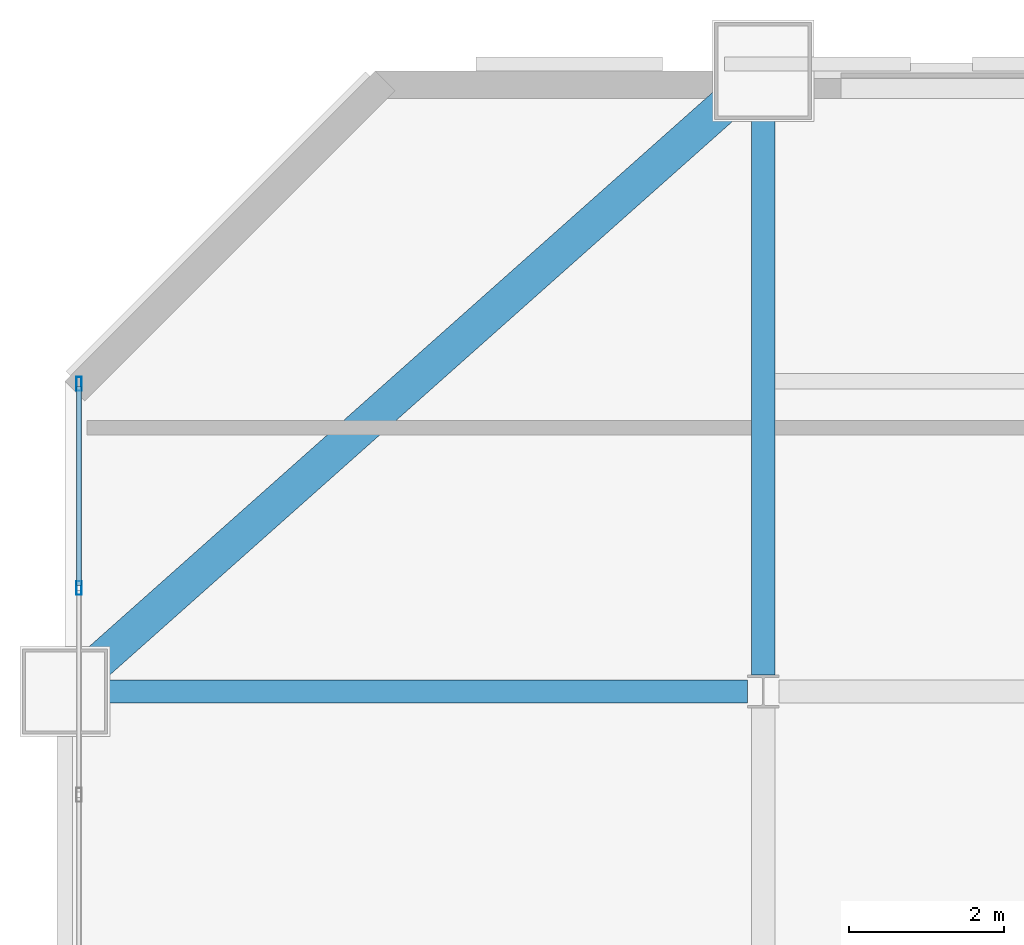
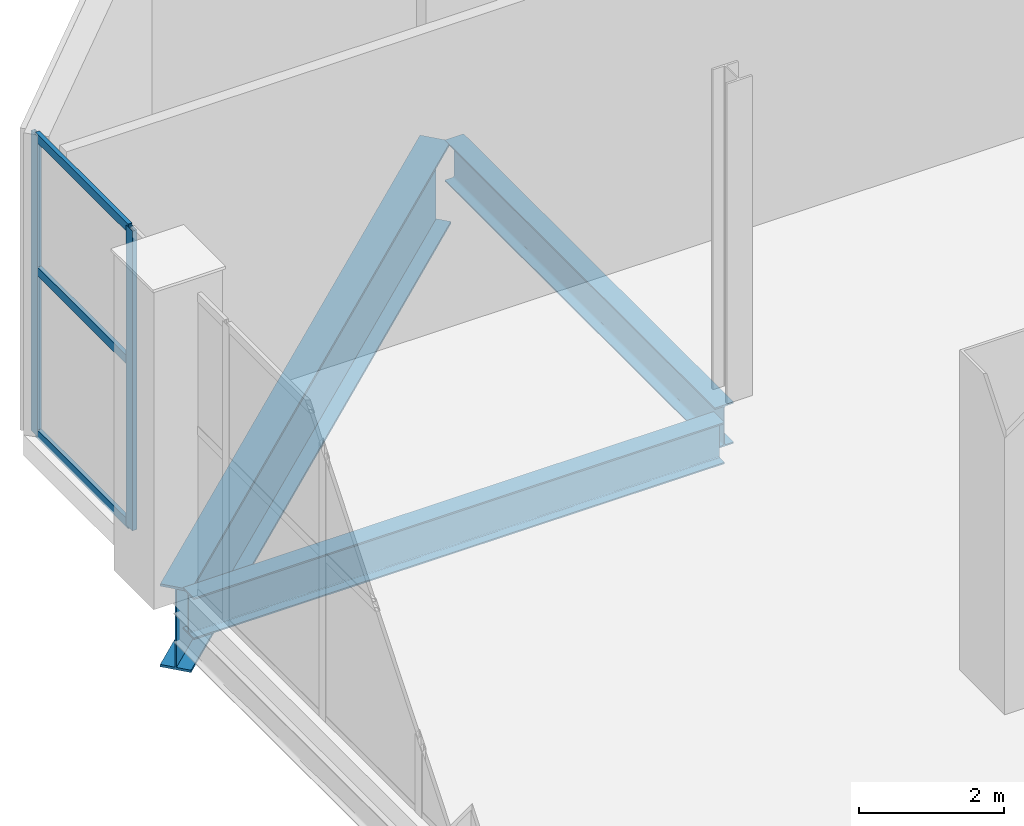
# One storey, part 17 of 26: 5 members, 3 beams, 1 element without a shape of its own.
"""IFC4 building model written with IfcOpenShell, lengths in metres."""

from ifc_helpers import new_model, si_unit, direction, frame, origin, origin_2d, place, context, subcontext, project, spatial, hollow_rectangle, i_section, extrude, material, layer, layer_set, material_profile, profile_set, type_object, element, aggregate, save


model = new_model("IFC4")

# Units and contexts
model_context = context("Model", 3, precision=1e-05, world=origin(), true_north=direction((0.0, 1.0)))
body_context = subcontext(model_context, "Body", "Model", "MODEL_VIEW")
ifc_project = project(units=[si_unit("LENGTHUNIT", "METRE"), si_unit("AREAUNIT", "SQUARE_METRE"), si_unit("VOLUMEUNIT", "CUBIC_METRE"), si_unit("PLANEANGLEUNIT", "RADIAN"), si_unit("MASSUNIT", "GRAM", prefix="KILO")], contexts=[model_context])

# Site, building, storey
site_placement = place(None, origin())
site = spatial("IfcSite", under=ifc_project, at=site_placement, CompositionType="ELEMENT")
building_placement = place(site_placement, origin())
building = spatial("IfcBuilding", under=site, at=building_placement, Name="Qianrong Seaharbour Tower", CompositionType="ELEMENT")
storey_placement = place(building_placement, frame((0.0, 0.0, 108.199951171875)))
storey = spatial("IfcBuildingStorey", under=building, at=storey_placement, Name="L26", CompositionType="ELEMENT", Elevation=108.199951171875)

# Beams
ifc_material_1 = material(Name="Structural steel SN490B", Category="steel")
ifc_material_profile_1 = material_profile(ifc_material_1, i_section(OverallWidth=0.300048828125, OverallDepth=0.699951171875, WebThickness=0.012939453125, FlangeThickness=0.02392578125, FilletRadius=0.02587890625, at=origin_2d()), Name="H700x300x13x24")
ifc_profile_set_1 = profile_set([ifc_material_profile_1], Name="Structural steel SN490B")
beam_type_1 = type_object("IfcBeamType", Name="BM-G-700", PredefinedType="BEAM", material=ifc_profile_set_1)
beam_1_placement = place(storey_placement, frame((0.320068359375, 44.0, -0.699951171875), z_axis=(1.0, 0.0, 0.0), x_axis=(0.0, 1.0, 0.0)))
element("IfcBeam", 1, at=beam_1_placement, inside=storey, type_object=beam_type_1, Name="L26 Primary Girder GG G1-G2", PredefinedType="BEAM", context=body_context, shape_type="SweptSolid", body=[
    extrude(i_section(OverallWidth=0.300048828125, OverallDepth=0.699951171875, WebThickness=0.012939453125, FlangeThickness=0.02392578125, FilletRadius=0.02587890625, at=origin_2d()), origin(), (0.0, 0.0, 1.0), 8.476318359375),
])
beam_2_placement = place(storey_placement, frame((9.0, 44.214111328125, -0.699951171875), z_axis=(0.0, 1.0, 0.0), x_axis=(-1.0, 0.0, 0.0)))
element("IfcBeam", 2, at=beam_2_placement, inside=storey, type_object=beam_type_1, Name="L26 Primary Girder G2 GG-GH", PredefinedType="BEAM", context=body_context, shape_type="SweptSolid", body=[
    extrude(i_section(OverallWidth=0.300048828125, OverallDepth=0.699951171875, WebThickness=0.012939453125, FlangeThickness=0.02392578125, FilletRadius=0.02587890625, at=origin_2d()), origin(), (0.0, 0.0, 1.0), 7.4658203125),
])
ifc_material_profile_2 = material_profile(ifc_material_1, i_section(OverallWidth=0.449951171875, OverallDepth=1.39990234375, WebThickness=0.02197265625, FlangeThickness=0.0400390625, at=origin_2d()), Name="BH1400x450x22x40")
ifc_profile_set_2 = profile_set([ifc_material_profile_2], Name="Structural steel SN490B")
beam_type_2 = type_object("IfcBeamType", Name="BM-TG-1400", PredefinedType="BEAM", material=ifc_profile_set_2)
beam_3_placement = place(storey_placement, frame((8.7607421875, 51.787353515625, -1.050048828125), z_axis=(-0.747406955841, -0.664366497018, 0.0), x_axis=(0.664366497018, -0.747406955841, 0.0)))
element("IfcBeam", 3, at=beam_3_placement, inside=storey, type_object=beam_type_2, Name="L26 Chamfer Corner Spandrel Girder G1/GH", PredefinedType="BEAM", context=body_context, shape_type="SweptSolid", body=[
    extrude(i_section(OverallWidth=0.449951171875, OverallDepth=1.39990234375, WebThickness=0.02197265625, FlangeThickness=0.0400390625, at=origin_2d()), origin(), (0.0, 0.0, 1.0), 11.4013671875),
])

# Curtain wall, members
ifc_material_2 = material(Name="Anodised aluminium 6063-T6 and laminated low-e glass", Category="aluminium")
ifc_layer = layer(ifc_material_2, 0.18505859375)
ifc_layer_set = layer_set([ifc_layer], Name="Anodised aluminium 6063-T6 and laminated low-e glass")
curtain_wall_type = type_object("IfcCurtainWallType", Name="CW-SYS-4", PredefinedType="NOTDEFINED", material=ifc_layer_set)
curtain_wall_placement = place(storey_placement, origin())
curtain_wall = element("IfcCurtainWall", 4, at=curtain_wall_placement, inside=storey, type_object=curtain_wall_type, Name="L26 Refuge Acoustic Louvre Curtain Wall WEST_TIP", PredefinedType="NOTDEFINED")
ifc_material_3 = material(Name="Extruded aluminium 6063-T6", Category="aluminium")
ifc_material_profile_3 = material_profile(ifc_material_3, hollow_rectangle(XDim=0.070068359375, YDim=0.179931640625, WallThickness=0.00390625, at=origin_2d()), Name="ALU-MUL-180x70x4")
ifc_profile_set_3 = profile_set([ifc_material_profile_3], Name="Extruded aluminium 6063-T6")
member_type_1 = type_object("IfcMemberType", Name="CW-MUL-180", PredefinedType="MULLION", material=ifc_profile_set_3)
member_1_placement = place(storey_placement, frame((0.179931640625, 45.333251953125, 0.0), z_axis=(0.0, 0.0, 1.0), x_axis=(-1.0, 0.0, 0.0)))
member_1 = element("IfcMember", 5, at=member_1_placement, type_object=member_type_1, Name="CW-4 mullion 6", PredefinedType="MULLION", context=body_context, shape_type="SweptSolid", body=[
    extrude(hollow_rectangle(XDim=0.070068359375, YDim=0.179931640625, WallThickness=0.00390625, at=origin_2d()), origin(), (0.0, 0.0, 1.0), 5.06005859375),
])
member_2_placement = place(storey_placement, frame((0.179931640625, 47.965087890625, 0.0), z_axis=(0.0, 0.0, 1.0), x_axis=(-1.0, 0.0, 0.0)))
member_2 = element("IfcMember", 6, at=member_2_placement, type_object=member_type_1, Name="CW-4 mullion 7", PredefinedType="MULLION", context=body_context, shape_type="SweptSolid", body=[
    extrude(hollow_rectangle(XDim=0.070068359375, YDim=0.179931640625, WallThickness=0.00390625, at=origin_2d()), origin(), (0.0, 0.0, 1.0), 5.06005859375),
])
ifc_material_profile_4 = material_profile(ifc_material_3, hollow_rectangle(XDim=0.06494140625, YDim=0.14990234375, WallThickness=0.00390625, at=origin_2d()), Name="ALU-TRN-150x65x4")
ifc_profile_set_4 = profile_set([ifc_material_profile_4], Name="Extruded aluminium 6063-T6")
member_type_2 = type_object("IfcMemberType", Name="CW-TRN-150", PredefinedType="USERDEFINED", material=ifc_profile_set_4)
member_3_placement = place(storey_placement, frame((0.179931640625, 45.368408203125, 0.032470703125), z_axis=(0.0, 1.0, 0.0), x_axis=(-1.0, 0.0, 0.0)))
member_3 = element("IfcMember", 7, at=member_3_placement, type_object=member_type_2, Name="CW-4 transom 6.1", ObjectType="TRANSOM", PredefinedType="USERDEFINED", context=body_context, shape_type="SweptSolid", body=[
    extrude(hollow_rectangle(XDim=0.06494140625, YDim=0.14990234375, WallThickness=0.00390625, at=origin_2d()), origin(), (0.0, 0.0, 1.0), 2.5615234375),
])
member_4_placement = place(storey_placement, frame((0.179931640625, 45.368408203125, 2.782958984375), z_axis=(0.0, 1.0, 0.0), x_axis=(-1.0, 0.0, 0.0)))
member_4 = element("IfcMember", 8, at=member_4_placement, type_object=member_type_2, Name="CW-4 transom 6.2", ObjectType="TRANSOM", PredefinedType="USERDEFINED", context=body_context, shape_type="SweptSolid", body=[
    extrude(hollow_rectangle(XDim=0.06494140625, YDim=0.14990234375, WallThickness=0.00390625, at=origin_2d()), origin(), (0.0, 0.0, 1.0), 2.5615234375),
])
member_5_placement = place(storey_placement, frame((0.179931640625, 45.368408203125, 5.027587890625), z_axis=(0.0, 1.0, 0.0), x_axis=(-1.0, 0.0, 0.0)))
member_5 = element("IfcMember", 9, at=member_5_placement, type_object=member_type_2, Name="CW-4 transom 6.3", ObjectType="TRANSOM", PredefinedType="USERDEFINED", context=body_context, shape_type="SweptSolid", body=[
    extrude(hollow_rectangle(XDim=0.06494140625, YDim=0.14990234375, WallThickness=0.00390625, at=origin_2d()), origin(), (0.0, 0.0, 1.0), 2.5615234375),
])
aggregate(curtain_wall, [member_1, member_2, member_3, member_4, member_5])

save(model, "model.ifc")
